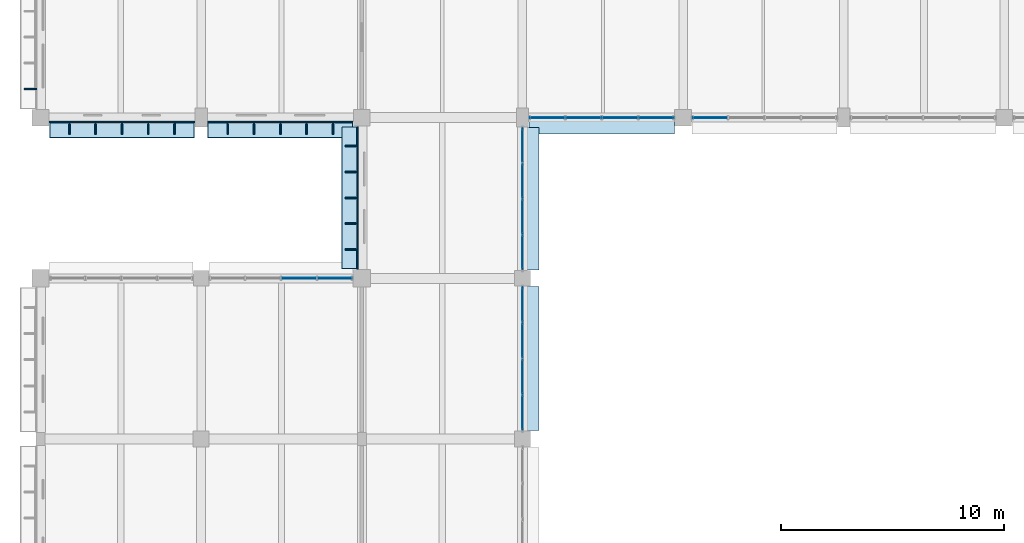
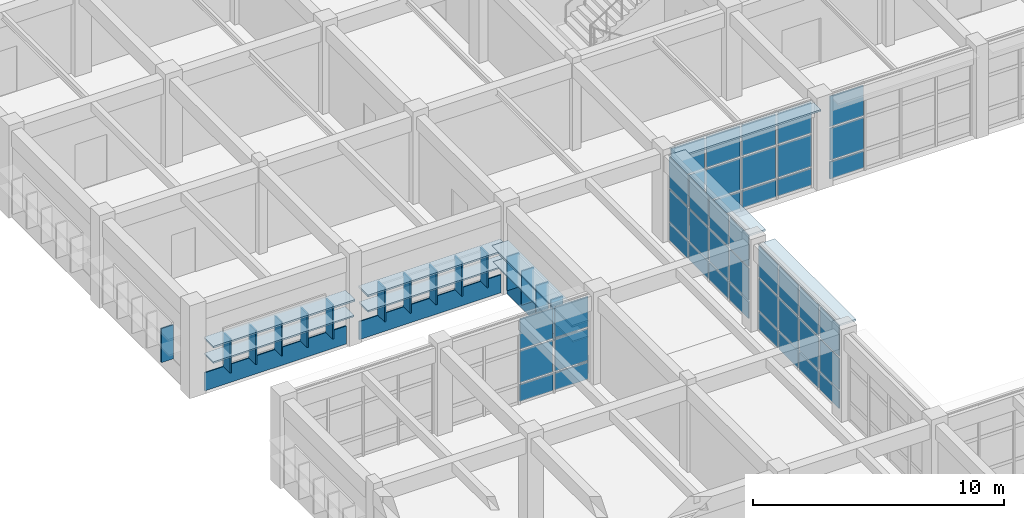
# One storey, part 130 of 171: 73 plates, 5 elements without a shape of their own.
"""IFC4 building model written with IfcOpenShell, lengths in metres."""

from ifc_helpers import new_model, si_unit, direction, frame, origin, origin_2d, place, context, subcontext, project, spatial, rectangle, extrude, material, layer, layer_set, type_object, element, aggregate, save


model = new_model("IFC4")

# Units and contexts
model_context = context("Model", 3, precision=1e-05, world=origin(), true_north=direction((0.0, 1.0)))
body_context = subcontext(model_context, "Body", "Model", "MODEL_VIEW")
ifc_project = project(units=[si_unit("LENGTHUNIT", "METRE"), si_unit("AREAUNIT", "SQUARE_METRE"), si_unit("VOLUMEUNIT", "CUBIC_METRE"), si_unit("PLANEANGLEUNIT", "RADIAN"), si_unit("MASSUNIT", "GRAM", prefix="KILO")], contexts=[model_context])

# Site, building, storey
site_placement = place(None, origin())
site = spatial("IfcSite", under=ifc_project, at=site_placement, CompositionType="ELEMENT")
building_placement = place(site_placement, origin())
building = spatial("IfcBuilding", under=site, at=building_placement, Name="Thalmaran Polytechnic", CompositionType="ELEMENT")
storey_placement = place(building_placement, frame((0.0, 0.0, 5.39990234375)))
storey = spatial("IfcBuildingStorey", under=building, at=storey_placement, Name="L01", CompositionType="ELEMENT", Elevation=5.39990234375)

# Plates
ifc_material_1 = material(Name="Anodised aluminium spandrel band", Category="aluminium")
ifc_layer_1 = layer(ifc_material_1, 0.054931640625, Name="Anodised aluminium spandrel band")
ifc_layer_set_1 = layer_set([ifc_layer_1], Name="Anodised aluminium spandrel band")
plate_type_1 = type_object("IfcPlateType", Name="PT-BD01", PredefinedType="SHEET", material=ifc_layer_set_1)
plate_1_placement = place(storey_placement, frame((14.205078125, 90.007568359375, 0.020263671875), z_axis=(0.0, 0.0, 1.0), x_axis=(0.0, 1.0, 0.0)))
element("IfcPlate", 1, at=plate_1_placement, inside=storey, type_object=plate_type_1, Name="Streamline Horizontal Spandrel Band L01-015", PredefinedType="SHEET", context=body_context, shape_type="SweptSolid", body=[
    extrude(rectangle(XDim=6.39501953125, YDim=0.054931640625, at=origin_2d()), origin(), (0.0, 0.0, 1.0), 0.8798828125),
])
for number, where, z_axis, x_axis, name in (
    (2, (10.75, 93.405029296875, 0.020263671875), (0.0, 0.0, 1.0), (-1.0, 0.0, 0.0), "Streamline Horizontal Spandrel Band L01-016"),
    (3, (3.64990234375, 93.405029296875, 0.020263671875), (0.0, 0.0, 1.0), (-1.0, 0.0, 0.0), "Streamline Horizontal Spandrel Band L01-017"),
):
    element("IfcPlate", number, at=place(storey_placement, frame(where, z_axis=z_axis, x_axis=x_axis)), inside=storey, type_object=plate_type_1, Name=name, PredefinedType="SHEET", context=body_context, shape_type="SweptSolid", body=[
        extrude(rectangle(XDim=6.510009765625, YDim=0.054931640625, at=origin_2d()), origin(), (0.0, 0.0, 1.0), 0.8798828125),
    ])
ifc_material_2 = material(Name="Anodised aluminium sun-hood eyebrow", Category="aluminium")
ifc_layer_2 = layer(ifc_material_2, 0.0849609375, Name="Anodised aluminium sun-hood eyebrow")
ifc_layer_set_2 = layer_set([ifc_layer_2], Name="Anodised aluminium sun-hood eyebrow")
plate_type_2 = type_object("IfcPlateType", Name="PT-EB01", PredefinedType="SHEET", material=ifc_layer_set_2)
plate_2_placement = place(storey_placement, frame((13.860107421875, 90.007568359375, 2.517578125), z_axis=(0.0, 0.0, 1.0), x_axis=(0.0, 1.0, 0.0)))
element("IfcPlate", 4, at=plate_2_placement, inside=storey, type_object=plate_type_2, Name="Streamline Sun-Hood Eyebrow L01-015", PredefinedType="SHEET", context=body_context, shape_type="SweptSolid", body=[
    extrude(rectangle(XDim=6.39501953125, YDim=0.760009765625, at=origin_2d()), origin(), (0.0, 0.0, 1.0), 0.0849609375),
])
plate_3_placement = place(storey_placement, frame((13.8798828125, 90.007568359375, 1.74267578125), z_axis=(0.0, 0.0, 1.0), x_axis=(0.0, 1.0, 0.0)))
element("IfcPlate", 5, at=plate_3_placement, inside=storey, type_object=plate_type_2, Name="Abu Dhabi Horizontal Solar Louvre L01-015", PredefinedType="SHEET", context=body_context, shape_type="SweptSolid", body=[
    extrude(rectangle(XDim=6.35498046875, YDim=0.719970703125, at=origin_2d()), origin(), (0.0, 0.0, 1.0), 0.074951171875),
])
plate_4_placement = place(storey_placement, frame((10.75, 93.06005859375, 2.517578125), z_axis=(0.0, 0.0, 1.0), x_axis=(-1.0, 0.0, 0.0)))
element("IfcPlate", 6, at=plate_4_placement, inside=storey, type_object=plate_type_2, Name="Streamline Sun-Hood Eyebrow L01-016", PredefinedType="SHEET", context=body_context, shape_type="SweptSolid", body=[
    extrude(rectangle(XDim=6.510009765625, YDim=0.760009765625, at=origin_2d()), origin(), (0.0, 0.0, 1.0), 0.0849609375),
])
plate_5_placement = place(storey_placement, frame((10.75, 93.080078125, 1.74267578125), z_axis=(0.0, 0.0, 1.0), x_axis=(-1.0, 0.0, 0.0)))
element("IfcPlate", 7, at=plate_5_placement, inside=storey, type_object=plate_type_2, Name="Abu Dhabi Horizontal Solar Louvre L01-016", PredefinedType="SHEET", context=body_context, shape_type="SweptSolid", body=[
    extrude(rectangle(XDim=6.469970703125, YDim=0.719970703125, at=origin_2d()), origin(), (0.0, 0.0, 1.0), 0.074951171875),
])
plate_6_placement = place(storey_placement, frame((3.64990234375, 93.06005859375, 2.517578125), z_axis=(0.0, 0.0, 1.0), x_axis=(-1.0, 0.0, 0.0)))
element("IfcPlate", 8, at=plate_6_placement, inside=storey, type_object=plate_type_2, Name="Streamline Sun-Hood Eyebrow L01-017", PredefinedType="SHEET", context=body_context, shape_type="SweptSolid", body=[
    extrude(rectangle(XDim=6.510009765625, YDim=0.760009765625, at=origin_2d()), origin(), (0.0, 0.0, 1.0), 0.0849609375),
])
plate_7_placement = place(storey_placement, frame((3.64990234375, 93.080078125, 1.74267578125), z_axis=(0.0, 0.0, 1.0), x_axis=(-1.0, 0.0, 0.0)))
element("IfcPlate", 9, at=plate_7_placement, inside=storey, type_object=plate_type_2, Name="Abu Dhabi Horizontal Solar Louvre L01-017", PredefinedType="SHEET", context=body_context, shape_type="SweptSolid", body=[
    extrude(rectangle(XDim=6.469970703125, YDim=0.719970703125, at=origin_2d()), origin(), (0.0, 0.0, 1.0), 0.074951171875),
])
plate_8_placement = place(storey_placement, frame((25.14990234375, 93.239990234375, 4.107666015625), z_axis=(0.0, 0.0, 1.0), x_axis=(-1.0, 0.0, 0.0)))
element("IfcPlate", 10, at=plate_8_placement, inside=storey, type_object=plate_type_2, Name="Streamline Sun-Hood Eyebrow L01-CW135", PredefinedType="SHEET", context=body_context, shape_type="SweptSolid", body=[
    extrude(rectangle(XDim=6.510009765625, YDim=0.760009765625, at=origin_2d()), origin(), (0.0, 0.0, 1.0), 0.0849609375),
])
plate_9_placement = place(storey_placement, frame((21.9599609375, 89.96240234375, 4.107666015625), z_axis=(0.0, 0.0, 1.0), x_axis=(0.0, -1.0, 0.0)))
element("IfcPlate", 11, at=plate_9_placement, inside=storey, type_object=plate_type_2, Name="Streamline Sun-Hood Eyebrow L01-CW136", PredefinedType="SHEET", context=body_context, shape_type="SweptSolid", body=[
    extrude(rectangle(XDim=6.385009765625, YDim=0.760009765625, at=origin_2d()), origin(), (0.0, 0.0, 1.0), 0.0849609375),
])
plate_10_placement = place(storey_placement, frame((21.9599609375, 82.804931640625, 4.107666015625), z_axis=(0.0, 0.0, 1.0), x_axis=(0.0, -1.0, 0.0)))
element("IfcPlate", 12, at=plate_10_placement, inside=storey, type_object=plate_type_2, Name="Streamline Sun-Hood Eyebrow L01-CW137", PredefinedType="SHEET", context=body_context, shape_type="SweptSolid", body=[
    extrude(rectangle(XDim=6.449951171875, YDim=0.760009765625, at=origin_2d()), origin(), (0.0, 0.0, 1.0), 0.0849609375),
])
ifc_material_3 = material(Name="Anodised bronze brise-soleil fin")
ifc_layer_3 = layer(ifc_material_3, 0.06494140625, Name="Anodised bronze brise-soleil fin")
ifc_layer_set_3 = layer_set([ifc_layer_3], Name="Anodised bronze brise-soleil fin")
plate_type_3 = type_object("IfcPlateType", Name="PT-FN01", PredefinedType="SHEET", material=ifc_layer_set_3)
for number, where, z_axis, x_axis, name in (
    (13, (13.93994140625, 87.69091796875, 0.895263671875), (0.0, 0.0, 1.0), (0.0, 1.0, 0.0), "Abu Dhabi Solar Brise-Soleil Fin L01-015-1"),
    (14, (13.93994140625, 88.84912109375, 0.895263671875), (0.0, 0.0, 1.0), (0.0, 1.0, 0.0), "Abu Dhabi Solar Brise-Soleil Fin L01-015-2"),
    (15, (13.93994140625, 90.007568359375, 0.895263671875), (0.0, 0.0, 1.0), (0.0, 1.0, 0.0), "Abu Dhabi Solar Brise-Soleil Fin L01-015-3"),
    (16, (13.93994140625, 91.165771484375, 0.895263671875), (0.0, 0.0, 1.0), (0.0, 1.0, 0.0), "Abu Dhabi Solar Brise-Soleil Fin L01-015-4"),
    (17, (13.93994140625, 92.32421875, 0.895263671875), (0.0, 0.0, 1.0), (0.0, 1.0, 0.0), "Abu Dhabi Solar Brise-Soleil Fin L01-015-5"),
    (18, (13.10791015625, 93.139892578125, 0.895263671875), (0.0, 0.0, 1.0), (-1.0, 0.0, 0.0), "Abu Dhabi Solar Brise-Soleil Fin L01-016-1"),
    (19, (11.928955078125, 93.139892578125, 0.895263671875), (0.0, 0.0, 1.0), (-1.0, 0.0, 0.0), "Abu Dhabi Solar Brise-Soleil Fin L01-016-2"),
    (20, (10.75, 93.139892578125, 0.895263671875), (0.0, 0.0, 1.0), (-1.0, 0.0, 0.0), "Abu Dhabi Solar Brise-Soleil Fin L01-016-3"),
    (21, (9.571044921875, 93.139892578125, 0.895263671875), (0.0, 0.0, 1.0), (-1.0, 0.0, 0.0), "Abu Dhabi Solar Brise-Soleil Fin L01-016-4"),
    (22, (8.39208984375, 93.139892578125, 0.895263671875), (0.0, 0.0, 1.0), (-1.0, 0.0, 0.0), "Abu Dhabi Solar Brise-Soleil Fin L01-016-5"),
    (23, (6.008056640625, 93.139892578125, 0.895263671875), (0.0, 0.0, 1.0), (-1.0, 0.0, 0.0), "Abu Dhabi Solar Brise-Soleil Fin L01-017-1"),
    (24, (4.8291015625, 93.139892578125, 0.895263671875), (0.0, 0.0, 1.0), (-1.0, 0.0, 0.0), "Abu Dhabi Solar Brise-Soleil Fin L01-017-2"),
    (25, (3.64990234375, 93.139892578125, 0.895263671875), (0.0, 0.0, 1.0), (-1.0, 0.0, 0.0), "Abu Dhabi Solar Brise-Soleil Fin L01-017-3"),
    (26, (2.470947265625, 93.139892578125, 0.895263671875), (0.0, 0.0, 1.0), (-1.0, 0.0, 0.0), "Abu Dhabi Solar Brise-Soleil Fin L01-017-4"),
    (27, (1.2919921875, 93.139892578125, 0.895263671875), (0.0, 0.0, 1.0), (-1.0, 0.0, 0.0), "Abu Dhabi Solar Brise-Soleil Fin L01-017-5"),
    (28, (-0.4599609375, 94.880126953125, 0.895263671875), (0.0, 0.0, 1.0), (0.0, 1.0, 0.0), "Abu Dhabi Solar Brise-Soleil Fin L01-018-1"),
):
    element("IfcPlate", number, at=place(storey_placement, frame(where, z_axis=z_axis, x_axis=x_axis)), inside=storey, type_object=plate_type_3, Name=name, PredefinedType="SHEET", context=body_context, shape_type="SweptSolid", body=[
        extrude(rectangle(XDim=0.06494140625, YDim=0.56005859375, at=origin_2d()), origin(), (0.0, 0.0, 1.0), 1.64990234375),
    ])

# Curtain wall, plates
ifc_material_4 = material(Name="Aluminium 6063-T6", Category="aluminium")
curtain_wall_type = type_object("IfcCurtainWallType", Name="CW-UC02", PredefinedType="USERDEFINED", material=ifc_material_4)
curtain_wall_1_placement = place(storey_placement, origin())
curtain_wall_1 = element("IfcCurtainWall", 29, at=curtain_wall_1_placement, inside=storey, type_object=curtain_wall_type, Name="Curtain Wall CW-L01-135", ObjectType="UNITISED CURTAIN WALL", PredefinedType="USERDEFINED")
ifc_material_5 = material(Name="Solar-control double low-E glass", Category="glass")
ifc_layer_4 = layer(ifc_material_5, 0.035888671875, Name="Solar-control double low-E glass")
ifc_layer_set_4 = layer_set([ifc_layer_4], Name="Solar-control double low-E glass")
plate_type_4 = type_object("IfcPlateType", Name="PT-GL01", PredefinedType="CURTAIN_PANEL", material=ifc_layer_set_4)
plate_11_placement = place(storey_placement, frame((27.606201171875, 93.60009765625, 1.000244140625), z_axis=(0.0, 0.0, 1.0), x_axis=(-1.0, 0.0, 0.0)))
plate_11 = element("IfcPlate", 30, at=plate_11_placement, type_object=plate_type_4, Name="CW-L01-135 Vision Panel 1-2", PredefinedType="CURTAIN_PANEL", context=body_context, shape_type="SweptSolid", body=[
    extrude(rectangle(XDim=1.53759765625, YDim=0.035888671875, at=origin_2d()), origin(), (0.0, 0.0, 1.0), 1.544921875),
])
plate_12_placement = place(storey_placement, frame((27.606201171875, 93.60009765625, 2.625), z_axis=(0.0, 0.0, 1.0), x_axis=(-1.0, 0.0, 0.0)))
plate_12 = element("IfcPlate", 31, at=plate_12_placement, type_object=plate_type_4, Name="CW-L01-135 Vision Panel 1-3", PredefinedType="CURTAIN_PANEL", context=body_context, shape_type="SweptSolid", body=[
    extrude(rectangle(XDim=1.53759765625, YDim=0.035888671875, at=origin_2d()), origin(), (0.0, 0.0, 1.0), 1.485107421875),
])
plate_13_placement = place(storey_placement, frame((25.96875, 93.60009765625, 1.000244140625), z_axis=(0.0, 0.0, 1.0), x_axis=(-1.0, 0.0, 0.0)))
plate_13 = element("IfcPlate", 32, at=plate_13_placement, type_object=plate_type_4, Name="CW-L01-135 Vision Panel 2-2", PredefinedType="CURTAIN_PANEL", context=body_context, shape_type="SweptSolid", body=[
    extrude(rectangle(XDim=1.53759765625, YDim=0.035888671875, at=origin_2d()), origin(), (0.0, 0.0, 1.0), 1.544921875),
])
plate_14_placement = place(storey_placement, frame((25.96875, 93.60009765625, 2.625), z_axis=(0.0, 0.0, 1.0), x_axis=(-1.0, 0.0, 0.0)))
plate_14 = element("IfcPlate", 33, at=plate_14_placement, type_object=plate_type_4, Name="CW-L01-135 Vision Panel 2-3", PredefinedType="CURTAIN_PANEL", context=body_context, shape_type="SweptSolid", body=[
    extrude(rectangle(XDim=1.53759765625, YDim=0.035888671875, at=origin_2d()), origin(), (0.0, 0.0, 1.0), 1.485107421875),
])
plate_15_placement = place(storey_placement, frame((24.331298828125, 93.60009765625, 1.000244140625), z_axis=(0.0, 0.0, 1.0), x_axis=(-1.0, 0.0, 0.0)))
plate_15 = element("IfcPlate", 34, at=plate_15_placement, type_object=plate_type_4, Name="CW-L01-135 Vision Panel 3-2", PredefinedType="CURTAIN_PANEL", context=body_context, shape_type="SweptSolid", body=[
    extrude(rectangle(XDim=1.53759765625, YDim=0.035888671875, at=origin_2d()), origin(), (0.0, 0.0, 1.0), 1.544921875),
])
plate_16_placement = place(storey_placement, frame((24.331298828125, 93.60009765625, 2.625), z_axis=(0.0, 0.0, 1.0), x_axis=(-1.0, 0.0, 0.0)))
plate_16 = element("IfcPlate", 35, at=plate_16_placement, type_object=plate_type_4, Name="CW-L01-135 Vision Panel 3-3", PredefinedType="CURTAIN_PANEL", context=body_context, shape_type="SweptSolid", body=[
    extrude(rectangle(XDim=1.53759765625, YDim=0.035888671875, at=origin_2d()), origin(), (0.0, 0.0, 1.0), 1.485107421875),
])
plate_17_placement = place(storey_placement, frame((22.69384765625, 93.60009765625, 1.000244140625), z_axis=(0.0, 0.0, 1.0), x_axis=(-1.0, 0.0, 0.0)))
plate_17 = element("IfcPlate", 36, at=plate_17_placement, type_object=plate_type_4, Name="CW-L01-135 Vision Panel 4-2", PredefinedType="CURTAIN_PANEL", context=body_context, shape_type="SweptSolid", body=[
    extrude(rectangle(XDim=1.53759765625, YDim=0.035888671875, at=origin_2d()), origin(), (0.0, 0.0, 1.0), 1.544921875),
])
plate_18_placement = place(storey_placement, frame((22.69384765625, 93.60009765625, 2.625), z_axis=(0.0, 0.0, 1.0), x_axis=(-1.0, 0.0, 0.0)))
plate_18 = element("IfcPlate", 37, at=plate_18_placement, type_object=plate_type_4, Name="CW-L01-135 Vision Panel 4-3", PredefinedType="CURTAIN_PANEL", context=body_context, shape_type="SweptSolid", body=[
    extrude(rectangle(XDim=1.53759765625, YDim=0.035888671875, at=origin_2d()), origin(), (0.0, 0.0, 1.0), 1.485107421875),
])

curtain_wall_2_placement = place(storey_placement, origin())
curtain_wall_2 = element("IfcCurtainWall", 38, at=curtain_wall_2_placement, inside=storey, type_object=curtain_wall_type, Name="Curtain Wall CW-L01-136", ObjectType="UNITISED CURTAIN WALL", PredefinedType="USERDEFINED")
ifc_layer_5 = layer(ifc_material_5, 0.035888671875, Name="Solar-control double low-E glass")
ifc_layer_set_5 = layer_set([ifc_layer_5], Name="Solar-control double low-E glass")
plate_type_5 = type_object("IfcPlateType", Name="PT-GL02", PredefinedType="CURTAIN_PANEL", material=ifc_layer_set_5)
plate_19_placement = place(storey_placement, frame((21.60009765625, 92.371826171875, 1.000244140625), z_axis=(0.0, 0.0, 1.0), x_axis=(0.0, -1.0, 0.0)))
plate_19 = element("IfcPlate", 39, at=plate_19_placement, type_object=plate_type_5, Name="CW-L01-136 Vision Panel 1-2", PredefinedType="CURTAIN_PANEL", context=body_context, shape_type="SweptSolid", body=[
    extrude(rectangle(XDim=1.506103515625, YDim=0.035888671875, at=origin_2d()), origin(), (0.0, 0.0, 1.0), 1.544921875),
])
plate_20_placement = place(storey_placement, frame((21.60009765625, 92.371826171875, 2.625), z_axis=(0.0, 0.0, 1.0), x_axis=(0.0, -1.0, 0.0)))
plate_20 = element("IfcPlate", 40, at=plate_20_placement, type_object=plate_type_5, Name="CW-L01-136 Vision Panel 1-3", PredefinedType="CURTAIN_PANEL", context=body_context, shape_type="SweptSolid", body=[
    extrude(rectangle(XDim=1.506103515625, YDim=0.035888671875, at=origin_2d()), origin(), (0.0, 0.0, 1.0), 1.485107421875),
])
plate_21_placement = place(storey_placement, frame((21.60009765625, 90.765625, 1.000244140625), z_axis=(0.0, 0.0, 1.0), x_axis=(0.0, -1.0, 0.0)))
plate_21 = element("IfcPlate", 41, at=plate_21_placement, type_object=plate_type_5, Name="CW-L01-136 Vision Panel 2-2", PredefinedType="CURTAIN_PANEL", context=body_context, shape_type="SweptSolid", body=[
    extrude(rectangle(XDim=1.506103515625, YDim=0.035888671875, at=origin_2d()), origin(), (0.0, 0.0, 1.0), 1.544921875),
])
plate_22_placement = place(storey_placement, frame((21.60009765625, 90.765625, 2.625), z_axis=(0.0, 0.0, 1.0), x_axis=(0.0, -1.0, 0.0)))
plate_22 = element("IfcPlate", 42, at=plate_22_placement, type_object=plate_type_5, Name="CW-L01-136 Vision Panel 2-3", PredefinedType="CURTAIN_PANEL", context=body_context, shape_type="SweptSolid", body=[
    extrude(rectangle(XDim=1.506103515625, YDim=0.035888671875, at=origin_2d()), origin(), (0.0, 0.0, 1.0), 1.485107421875),
])
plate_23_placement = place(storey_placement, frame((21.60009765625, 89.159423828125, 1.000244140625), z_axis=(0.0, 0.0, 1.0), x_axis=(0.0, -1.0, 0.0)))
plate_23 = element("IfcPlate", 43, at=plate_23_placement, type_object=plate_type_5, Name="CW-L01-136 Vision Panel 3-2", PredefinedType="CURTAIN_PANEL", context=body_context, shape_type="SweptSolid", body=[
    extrude(rectangle(XDim=1.506103515625, YDim=0.035888671875, at=origin_2d()), origin(), (0.0, 0.0, 1.0), 1.544921875),
])
plate_24_placement = place(storey_placement, frame((21.60009765625, 89.159423828125, 2.625), z_axis=(0.0, 0.0, 1.0), x_axis=(0.0, -1.0, 0.0)))
plate_24 = element("IfcPlate", 44, at=plate_24_placement, type_object=plate_type_5, Name="CW-L01-136 Vision Panel 3-3", PredefinedType="CURTAIN_PANEL", context=body_context, shape_type="SweptSolid", body=[
    extrude(rectangle(XDim=1.506103515625, YDim=0.035888671875, at=origin_2d()), origin(), (0.0, 0.0, 1.0), 1.485107421875),
])
plate_25_placement = place(storey_placement, frame((21.60009765625, 87.55322265625, 1.000244140625), z_axis=(0.0, 0.0, 1.0), x_axis=(0.0, -1.0, 0.0)))
plate_25 = element("IfcPlate", 45, at=plate_25_placement, type_object=plate_type_5, Name="CW-L01-136 Vision Panel 4-2", PredefinedType="CURTAIN_PANEL", context=body_context, shape_type="SweptSolid", body=[
    extrude(rectangle(XDim=1.506103515625, YDim=0.035888671875, at=origin_2d()), origin(), (0.0, 0.0, 1.0), 1.544921875),
])
plate_26_placement = place(storey_placement, frame((21.60009765625, 87.55322265625, 2.625), z_axis=(0.0, 0.0, 1.0), x_axis=(0.0, -1.0, 0.0)))
plate_26 = element("IfcPlate", 46, at=plate_26_placement, type_object=plate_type_5, Name="CW-L01-136 Vision Panel 4-3", PredefinedType="CURTAIN_PANEL", context=body_context, shape_type="SweptSolid", body=[
    extrude(rectangle(XDim=1.506103515625, YDim=0.035888671875, at=origin_2d()), origin(), (0.0, 0.0, 1.0), 1.485107421875),
])

curtain_wall_3_placement = place(storey_placement, origin())
curtain_wall_3 = element("IfcCurtainWall", 47, at=curtain_wall_3_placement, inside=storey, type_object=curtain_wall_type, Name="Curtain Wall CW-L01-137", ObjectType="UNITISED CURTAIN WALL", PredefinedType="USERDEFINED")
ifc_layer_6 = layer(ifc_material_5, 0.035888671875, Name="Solar-control double low-E glass")
ifc_layer_set_6 = layer_set([ifc_layer_6], Name="Solar-control double low-E glass")
plate_type_6 = type_object("IfcPlateType", Name="PT-GL03", PredefinedType="CURTAIN_PANEL", material=ifc_layer_set_6)
plate_27_placement = place(storey_placement, frame((21.60009765625, 85.23876953125, 1.000244140625), z_axis=(0.0, 0.0, 1.0), x_axis=(0.0, -1.0, 0.0)))
plate_27 = element("IfcPlate", 48, at=plate_27_placement, type_object=plate_type_6, Name="CW-L01-137 Vision Panel 1-2", PredefinedType="CURTAIN_PANEL", context=body_context, shape_type="SweptSolid", body=[
    extrude(rectangle(XDim=1.5224609375, YDim=0.035888671875, at=origin_2d()), origin(), (0.0, 0.0, 1.0), 1.544921875),
])
plate_28_placement = place(storey_placement, frame((21.60009765625, 85.23876953125, 2.625), z_axis=(0.0, 0.0, 1.0), x_axis=(0.0, -1.0, 0.0)))
plate_28 = element("IfcPlate", 49, at=plate_28_placement, type_object=plate_type_6, Name="CW-L01-137 Vision Panel 1-3", PredefinedType="CURTAIN_PANEL", context=body_context, shape_type="SweptSolid", body=[
    extrude(rectangle(XDim=1.5224609375, YDim=0.035888671875, at=origin_2d()), origin(), (0.0, 0.0, 1.0), 1.485107421875),
])
plate_29_placement = place(storey_placement, frame((21.60009765625, 83.6162109375, 1.000244140625), z_axis=(0.0, 0.0, 1.0), x_axis=(0.0, -1.0, 0.0)))
plate_29 = element("IfcPlate", 50, at=plate_29_placement, type_object=plate_type_6, Name="CW-L01-137 Vision Panel 2-2", PredefinedType="CURTAIN_PANEL", context=body_context, shape_type="SweptSolid", body=[
    extrude(rectangle(XDim=1.5224609375, YDim=0.035888671875, at=origin_2d()), origin(), (0.0, 0.0, 1.0), 1.544921875),
])
plate_30_placement = place(storey_placement, frame((21.60009765625, 83.6162109375, 2.625), z_axis=(0.0, 0.0, 1.0), x_axis=(0.0, -1.0, 0.0)))
plate_30 = element("IfcPlate", 51, at=plate_30_placement, type_object=plate_type_6, Name="CW-L01-137 Vision Panel 2-3", PredefinedType="CURTAIN_PANEL", context=body_context, shape_type="SweptSolid", body=[
    extrude(rectangle(XDim=1.5224609375, YDim=0.035888671875, at=origin_2d()), origin(), (0.0, 0.0, 1.0), 1.485107421875),
])
plate_31_placement = place(storey_placement, frame((21.60009765625, 81.99365234375, 1.000244140625), z_axis=(0.0, 0.0, 1.0), x_axis=(0.0, -1.0, 0.0)))
plate_31 = element("IfcPlate", 52, at=plate_31_placement, type_object=plate_type_6, Name="CW-L01-137 Vision Panel 3-2", PredefinedType="CURTAIN_PANEL", context=body_context, shape_type="SweptSolid", body=[
    extrude(rectangle(XDim=1.5224609375, YDim=0.035888671875, at=origin_2d()), origin(), (0.0, 0.0, 1.0), 1.544921875),
])
plate_32_placement = place(storey_placement, frame((21.60009765625, 81.99365234375, 2.625), z_axis=(0.0, 0.0, 1.0), x_axis=(0.0, -1.0, 0.0)))
plate_32 = element("IfcPlate", 53, at=plate_32_placement, type_object=plate_type_6, Name="CW-L01-137 Vision Panel 3-3", PredefinedType="CURTAIN_PANEL", context=body_context, shape_type="SweptSolid", body=[
    extrude(rectangle(XDim=1.5224609375, YDim=0.035888671875, at=origin_2d()), origin(), (0.0, 0.0, 1.0), 1.485107421875),
])
plate_33_placement = place(storey_placement, frame((21.60009765625, 80.371337890625, 1.000244140625), z_axis=(0.0, 0.0, 1.0), x_axis=(0.0, -1.0, 0.0)))
plate_33 = element("IfcPlate", 54, at=plate_33_placement, type_object=plate_type_6, Name="CW-L01-137 Vision Panel 4-2", PredefinedType="CURTAIN_PANEL", context=body_context, shape_type="SweptSolid", body=[
    extrude(rectangle(XDim=1.5224609375, YDim=0.035888671875, at=origin_2d()), origin(), (0.0, 0.0, 1.0), 1.544921875),
])
plate_34_placement = place(storey_placement, frame((21.60009765625, 80.371337890625, 2.625), z_axis=(0.0, 0.0, 1.0), x_axis=(0.0, -1.0, 0.0)))
plate_34 = element("IfcPlate", 55, at=plate_34_placement, type_object=plate_type_6, Name="CW-L01-137 Vision Panel 4-3", PredefinedType="CURTAIN_PANEL", context=body_context, shape_type="SweptSolid", body=[
    extrude(rectangle(XDim=1.5224609375, YDim=0.035888671875, at=origin_2d()), origin(), (0.0, 0.0, 1.0), 1.485107421875),
])

curtain_wall_4_placement = place(storey_placement, origin())
curtain_wall_4 = element("IfcCurtainWall", 56, at=curtain_wall_4_placement, inside=storey, type_object=curtain_wall_type, Name="Curtain Wall CW-L01-079", ObjectType="UNITISED CURTAIN WALL", PredefinedType="USERDEFINED")
ifc_layer_7 = layer(ifc_material_5, 0.035888671875, Name="Solar-control double low-E glass")
ifc_layer_set_7 = layer_set([ifc_layer_7], Name="Solar-control double low-E glass")
plate_type_7 = type_object("IfcPlateType", Name="PT-GL05", PredefinedType="CURTAIN_PANEL", material=ifc_layer_set_7)
plate_35_placement = place(storey_placement, frame((11.58740234375, 86.39990234375, 1.000244140625), z_axis=(0.0, 0.0, 1.0), x_axis=(1.0, 0.0, 0.0)))
plate_35 = element("IfcPlate", 57, at=plate_35_placement, type_object=plate_type_7, Name="CW-L01-079 Vision Panel 3-2", PredefinedType="CURTAIN_PANEL", context=body_context, shape_type="SweptSolid", body=[
    extrude(rectangle(XDim=1.514892578125, YDim=0.035888671875, at=origin_2d()), origin(), (0.0, 0.0, 1.0), 1.544921875),
])
plate_36_placement = place(storey_placement, frame((11.58740234375, 86.39990234375, 2.625), z_axis=(0.0, 0.0, 1.0), x_axis=(1.0, 0.0, 0.0)))
plate_36 = element("IfcPlate", 58, at=plate_36_placement, type_object=plate_type_7, Name="CW-L01-079 Vision Panel 3-3", PredefinedType="CURTAIN_PANEL", context=body_context, shape_type="SweptSolid", body=[
    extrude(rectangle(XDim=1.514892578125, YDim=0.035888671875, at=origin_2d()), origin(), (0.0, 0.0, 1.0), 1.485107421875),
])
plate_37_placement = place(storey_placement, frame((13.202392578125, 86.39990234375, 1.000244140625), z_axis=(0.0, 0.0, 1.0), x_axis=(1.0, 0.0, 0.0)))
plate_37 = element("IfcPlate", 59, at=plate_37_placement, type_object=plate_type_7, Name="CW-L01-079 Vision Panel 4-2", PredefinedType="CURTAIN_PANEL", context=body_context, shape_type="SweptSolid", body=[
    extrude(rectangle(XDim=1.514892578125, YDim=0.035888671875, at=origin_2d()), origin(), (0.0, 0.0, 1.0), 1.544921875),
])
plate_38_placement = place(storey_placement, frame((13.202392578125, 86.39990234375, 2.625), z_axis=(0.0, 0.0, 1.0), x_axis=(1.0, 0.0, 0.0)))
plate_38 = element("IfcPlate", 60, at=plate_38_placement, type_object=plate_type_7, Name="CW-L01-079 Vision Panel 4-3", PredefinedType="CURTAIN_PANEL", context=body_context, shape_type="SweptSolid", body=[
    extrude(rectangle(XDim=1.514892578125, YDim=0.035888671875, at=origin_2d()), origin(), (0.0, 0.0, 1.0), 1.485107421875),
])

curtain_wall_5_placement = place(storey_placement, origin())
curtain_wall_5 = element("IfcCurtainWall", 61, at=curtain_wall_5_placement, inside=storey, type_object=curtain_wall_type, Name="Curtain Wall CW-L01-134", ObjectType="UNITISED CURTAIN WALL", PredefinedType="USERDEFINED")
plate_39_placement = place(storey_placement, frame((29.99365234375, 93.60009765625, 1.000244140625), z_axis=(0.0, 0.0, 1.0), x_axis=(-1.0, 0.0, 0.0)))
plate_39 = element("IfcPlate", 62, at=plate_39_placement, type_object=plate_type_7, Name="CW-L01-134 Vision Panel 4-2", PredefinedType="CURTAIN_PANEL", context=body_context, shape_type="SweptSolid", body=[
    extrude(rectangle(XDim=1.53759765625, YDim=0.035888671875, at=origin_2d()), origin(), (0.0, 0.0, 1.0), 1.544921875),
])
plate_40_placement = place(storey_placement, frame((29.99365234375, 93.60009765625, 2.625), z_axis=(0.0, 0.0, 1.0), x_axis=(-1.0, 0.0, 0.0)))
plate_40 = element("IfcPlate", 63, at=plate_40_placement, type_object=plate_type_7, Name="CW-L01-134 Vision Panel 4-3", PredefinedType="CURTAIN_PANEL", context=body_context, shape_type="SweptSolid", body=[
    extrude(rectangle(XDim=1.53759765625, YDim=0.035888671875, at=origin_2d()), origin(), (0.0, 0.0, 1.0), 1.485107421875),
])

# Plate
ifc_material_6 = material(Name="Insulated anodised aluminium spandrel", Category="aluminium")
ifc_layer_8 = layer(ifc_material_6, 0.06005859375, Name="Insulated anodised aluminium spandrel")
ifc_layer_set_8 = layer_set([ifc_layer_8], Name="Insulated anodised aluminium spandrel")
plate_type_8 = type_object("IfcPlateType", Name="PT-SP01", PredefinedType="CURTAIN_PANEL", material=ifc_layer_set_8)
plate_41_placement = place(storey_placement, frame((27.606201171875, 93.60009765625, 0.10009765625), z_axis=(0.0, 0.0, 1.0), x_axis=(-1.0, 0.0, 0.0)))
plate_41 = element("IfcPlate", 64, at=plate_41_placement, type_object=plate_type_8, Name="CW-L01-135 Spandrel Panel 1-1", PredefinedType="CURTAIN_PANEL", context=body_context, shape_type="SweptSolid", body=[
    extrude(rectangle(XDim=1.53759765625, YDim=0.06005859375, at=origin_2d()), origin(), (0.0, 0.0, 1.0), 0.820068359375),
])

plate_42_placement = place(storey_placement, frame((25.96875, 93.60009765625, 0.10009765625), z_axis=(0.0, 0.0, 1.0), x_axis=(-1.0, 0.0, 0.0)))
plate_42 = element("IfcPlate", 65, at=plate_42_placement, type_object=plate_type_8, Name="CW-L01-135 Spandrel Panel 2-1", PredefinedType="CURTAIN_PANEL", context=body_context, shape_type="SweptSolid", body=[
    extrude(rectangle(XDim=1.53759765625, YDim=0.06005859375, at=origin_2d()), origin(), (0.0, 0.0, 1.0), 0.820068359375),
])

plate_43_placement = place(storey_placement, frame((24.331298828125, 93.60009765625, 0.10009765625), z_axis=(0.0, 0.0, 1.0), x_axis=(-1.0, 0.0, 0.0)))
plate_43 = element("IfcPlate", 66, at=plate_43_placement, type_object=plate_type_8, Name="CW-L01-135 Spandrel Panel 3-1", PredefinedType="CURTAIN_PANEL", context=body_context, shape_type="SweptSolid", body=[
    extrude(rectangle(XDim=1.53759765625, YDim=0.06005859375, at=origin_2d()), origin(), (0.0, 0.0, 1.0), 0.820068359375),
])

plate_44_placement = place(storey_placement, frame((22.69384765625, 93.60009765625, 0.10009765625), z_axis=(0.0, 0.0, 1.0), x_axis=(-1.0, 0.0, 0.0)))
plate_44 = element("IfcPlate", 67, at=plate_44_placement, type_object=plate_type_8, Name="CW-L01-135 Spandrel Panel 4-1", PredefinedType="CURTAIN_PANEL", context=body_context, shape_type="SweptSolid", body=[
    extrude(rectangle(XDim=1.53759765625, YDim=0.06005859375, at=origin_2d()), origin(), (0.0, 0.0, 1.0), 0.820068359375),
])

aggregate(curtain_wall_1, [plate_41, plate_11, plate_12, plate_42, plate_13, plate_14, plate_43, plate_15, plate_16, plate_44, plate_17, plate_18])

ifc_layer_9 = layer(ifc_material_6, 0.06005859375, Name="Insulated anodised aluminium spandrel")
ifc_layer_set_9 = layer_set([ifc_layer_9], Name="Insulated anodised aluminium spandrel")
plate_type_9 = type_object("IfcPlateType", Name="PT-SP02", PredefinedType="CURTAIN_PANEL", material=ifc_layer_set_9)
plate_45_placement = place(storey_placement, frame((11.58740234375, 86.39990234375, 0.10009765625), z_axis=(0.0, 0.0, 1.0), x_axis=(1.0, 0.0, 0.0)))
plate_45 = element("IfcPlate", 68, at=plate_45_placement, type_object=plate_type_9, Name="CW-L01-079 Spandrel Panel 3-1", PredefinedType="CURTAIN_PANEL", context=body_context, shape_type="SweptSolid", body=[
    extrude(rectangle(XDim=1.514892578125, YDim=0.06005859375, at=origin_2d()), origin(), (0.0, 0.0, 1.0), 0.820068359375),
])

plate_46_placement = place(storey_placement, frame((13.202392578125, 86.39990234375, 0.10009765625), z_axis=(0.0, 0.0, 1.0), x_axis=(1.0, 0.0, 0.0)))
plate_46 = element("IfcPlate", 69, at=plate_46_placement, type_object=plate_type_9, Name="CW-L01-079 Spandrel Panel 4-1", PredefinedType="CURTAIN_PANEL", context=body_context, shape_type="SweptSolid", body=[
    extrude(rectangle(XDim=1.514892578125, YDim=0.06005859375, at=origin_2d()), origin(), (0.0, 0.0, 1.0), 0.820068359375),
])

aggregate(curtain_wall_4, [plate_45, plate_35, plate_36, plate_46, plate_37, plate_38])

plate_47_placement = place(storey_placement, frame((21.60009765625, 92.371826171875, 0.10009765625), z_axis=(0.0, 0.0, 1.0), x_axis=(0.0, -1.0, 0.0)))
plate_47 = element("IfcPlate", 70, at=plate_47_placement, type_object=plate_type_9, Name="CW-L01-136 Spandrel Panel 1-1", PredefinedType="CURTAIN_PANEL", context=body_context, shape_type="SweptSolid", body=[
    extrude(rectangle(XDim=1.506103515625, YDim=0.06005859375, at=origin_2d()), origin(), (0.0, 0.0, 1.0), 0.820068359375),
])

plate_48_placement = place(storey_placement, frame((21.60009765625, 90.765625, 0.10009765625), z_axis=(0.0, 0.0, 1.0), x_axis=(0.0, -1.0, 0.0)))
plate_48 = element("IfcPlate", 71, at=plate_48_placement, type_object=plate_type_9, Name="CW-L01-136 Spandrel Panel 2-1", PredefinedType="CURTAIN_PANEL", context=body_context, shape_type="SweptSolid", body=[
    extrude(rectangle(XDim=1.506103515625, YDim=0.06005859375, at=origin_2d()), origin(), (0.0, 0.0, 1.0), 0.820068359375),
])

plate_49_placement = place(storey_placement, frame((21.60009765625, 89.159423828125, 0.10009765625), z_axis=(0.0, 0.0, 1.0), x_axis=(0.0, -1.0, 0.0)))
plate_49 = element("IfcPlate", 72, at=plate_49_placement, type_object=plate_type_9, Name="CW-L01-136 Spandrel Panel 3-1", PredefinedType="CURTAIN_PANEL", context=body_context, shape_type="SweptSolid", body=[
    extrude(rectangle(XDim=1.506103515625, YDim=0.06005859375, at=origin_2d()), origin(), (0.0, 0.0, 1.0), 0.820068359375),
])

plate_50_placement = place(storey_placement, frame((21.60009765625, 87.55322265625, 0.10009765625), z_axis=(0.0, 0.0, 1.0), x_axis=(0.0, -1.0, 0.0)))
plate_50 = element("IfcPlate", 73, at=plate_50_placement, type_object=plate_type_9, Name="CW-L01-136 Spandrel Panel 4-1", PredefinedType="CURTAIN_PANEL", context=body_context, shape_type="SweptSolid", body=[
    extrude(rectangle(XDim=1.506103515625, YDim=0.06005859375, at=origin_2d()), origin(), (0.0, 0.0, 1.0), 0.820068359375),
])

aggregate(curtain_wall_2, [plate_47, plate_19, plate_20, plate_48, plate_21, plate_22, plate_49, plate_23, plate_24, plate_50, plate_25, plate_26])

ifc_layer_10 = layer(ifc_material_6, 0.06005859375, Name="Insulated anodised aluminium spandrel")
ifc_layer_set_10 = layer_set([ifc_layer_10], Name="Insulated anodised aluminium spandrel")
plate_type_10 = type_object("IfcPlateType", Name="PT-SP03", PredefinedType="CURTAIN_PANEL", material=ifc_layer_set_10)
plate_51_placement = place(storey_placement, frame((29.99365234375, 93.60009765625, 0.10009765625), z_axis=(0.0, 0.0, 1.0), x_axis=(-1.0, 0.0, 0.0)))
plate_51 = element("IfcPlate", 74, at=plate_51_placement, type_object=plate_type_10, Name="CW-L01-134 Spandrel Panel 4-1", PredefinedType="CURTAIN_PANEL", context=body_context, shape_type="SweptSolid", body=[
    extrude(rectangle(XDim=1.53759765625, YDim=0.06005859375, at=origin_2d()), origin(), (0.0, 0.0, 1.0), 0.820068359375),
])

aggregate(curtain_wall_5, [plate_51, plate_39, plate_40])

plate_52_placement = place(storey_placement, frame((21.60009765625, 85.23876953125, 0.10009765625), z_axis=(0.0, 0.0, 1.0), x_axis=(0.0, -1.0, 0.0)))
plate_52 = element("IfcPlate", 75, at=plate_52_placement, type_object=plate_type_10, Name="CW-L01-137 Spandrel Panel 1-1", PredefinedType="CURTAIN_PANEL", context=body_context, shape_type="SweptSolid", body=[
    extrude(rectangle(XDim=1.5224609375, YDim=0.06005859375, at=origin_2d()), origin(), (0.0, 0.0, 1.0), 0.820068359375),
])

plate_53_placement = place(storey_placement, frame((21.60009765625, 83.6162109375, 0.10009765625), z_axis=(0.0, 0.0, 1.0), x_axis=(0.0, -1.0, 0.0)))
plate_53 = element("IfcPlate", 76, at=plate_53_placement, type_object=plate_type_10, Name="CW-L01-137 Spandrel Panel 2-1", PredefinedType="CURTAIN_PANEL", context=body_context, shape_type="SweptSolid", body=[
    extrude(rectangle(XDim=1.5224609375, YDim=0.06005859375, at=origin_2d()), origin(), (0.0, 0.0, 1.0), 0.820068359375),
])

plate_54_placement = place(storey_placement, frame((21.60009765625, 81.99365234375, 0.10009765625), z_axis=(0.0, 0.0, 1.0), x_axis=(0.0, -1.0, 0.0)))
plate_54 = element("IfcPlate", 77, at=plate_54_placement, type_object=plate_type_10, Name="CW-L01-137 Spandrel Panel 3-1", PredefinedType="CURTAIN_PANEL", context=body_context, shape_type="SweptSolid", body=[
    extrude(rectangle(XDim=1.5224609375, YDim=0.06005859375, at=origin_2d()), origin(), (0.0, 0.0, 1.0), 0.820068359375),
])

plate_55_placement = place(storey_placement, frame((21.60009765625, 80.371337890625, 0.10009765625), z_axis=(0.0, 0.0, 1.0), x_axis=(0.0, -1.0, 0.0)))
plate_55 = element("IfcPlate", 78, at=plate_55_placement, type_object=plate_type_10, Name="CW-L01-137 Spandrel Panel 4-1", PredefinedType="CURTAIN_PANEL", context=body_context, shape_type="SweptSolid", body=[
    extrude(rectangle(XDim=1.5224609375, YDim=0.06005859375, at=origin_2d()), origin(), (0.0, 0.0, 1.0), 0.820068359375),
])

aggregate(curtain_wall_3, [plate_52, plate_27, plate_28, plate_53, plate_29, plate_30, plate_54, plate_31, plate_32, plate_55, plate_33, plate_34])

save(model, "model.ifc")
